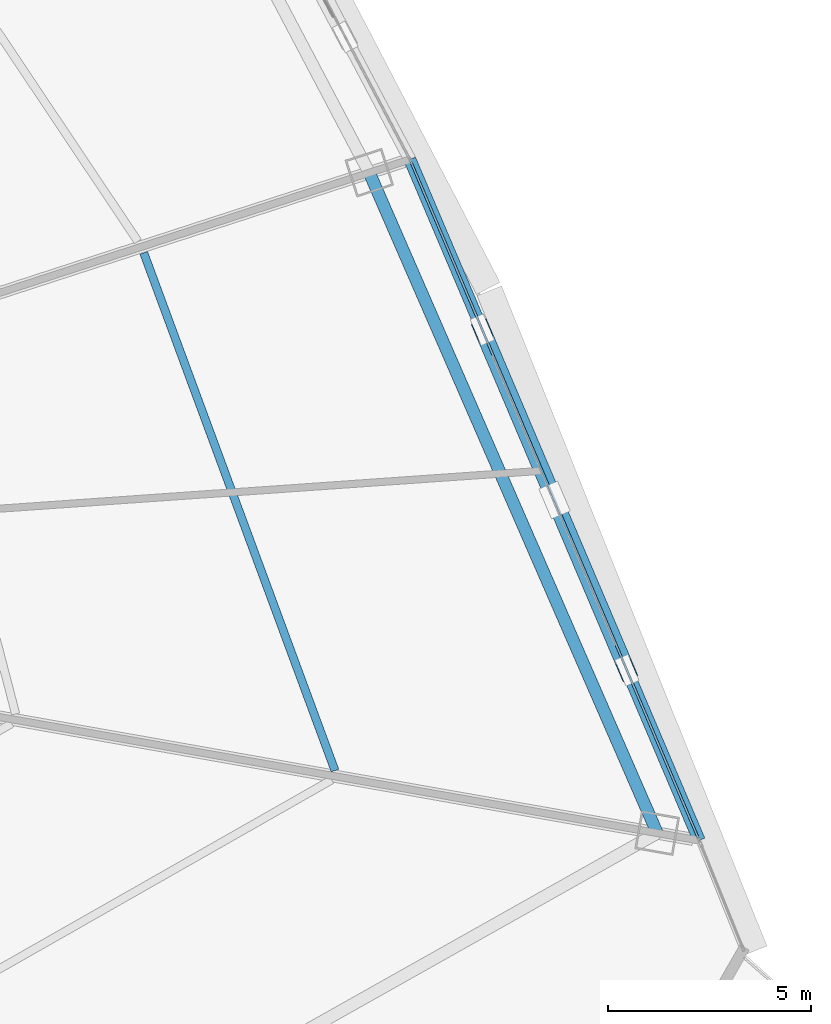
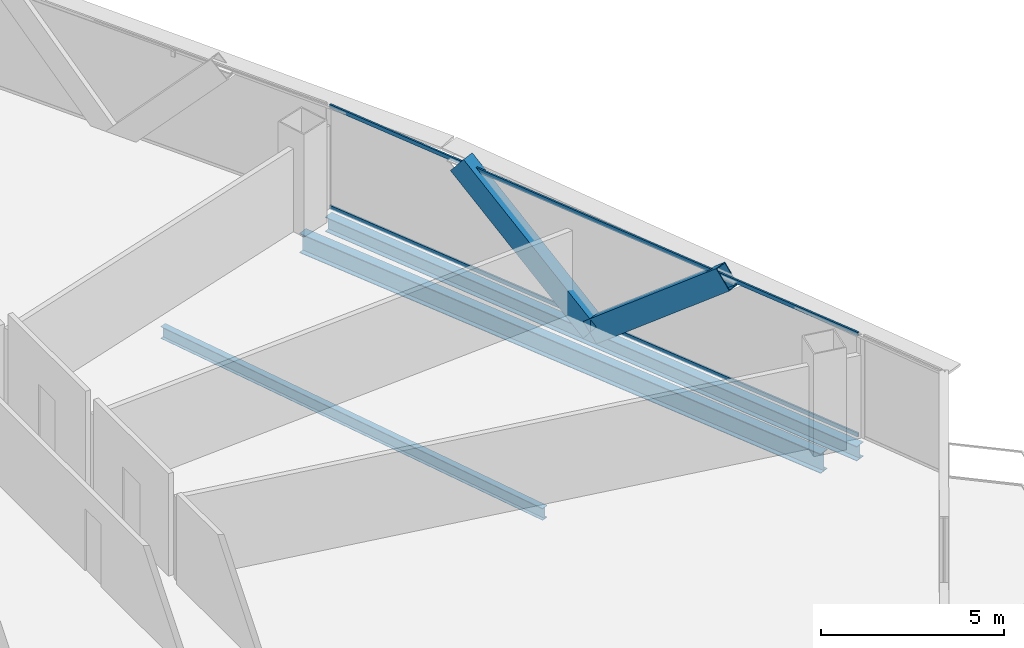
# One storey, part 27 of 39: 4 members, 3 beams, 1 element without a shape of its own.
"""IFC4 building model written with IfcOpenShell, lengths in metres."""

from ifc_helpers import new_model, si_unit, direction, frame, origin, origin_2d, place, context, subcontext, project, spatial, hollow_rectangle, i_section, extrude, source, transform, mapped, material, layer, layer_set, material_profile, profile_set, type_object, element, aggregate, save


model = new_model("IFC4")

# Units and contexts
model_context = context("Model", 3, precision=1e-05, world=origin(), true_north=direction((0.0, 1.0)))
body_context = subcontext(model_context, "Body", "Model", "MODEL_VIEW")
ifc_project = project(units=[si_unit("LENGTHUNIT", "METRE"), si_unit("AREAUNIT", "SQUARE_METRE"), si_unit("VOLUMEUNIT", "CUBIC_METRE"), si_unit("PLANEANGLEUNIT", "RADIAN"), si_unit("MASSUNIT", "GRAM", prefix="KILO"), si_unit("THERMODYNAMICTEMPERATUREUNIT", "KELVIN"), si_unit("POWERUNIT", "WATT")], contexts=[model_context])

# Site, building, storey
site_placement = place(None, origin())
site = spatial("IfcSite", under=ifc_project, at=site_placement, CompositionType="ELEMENT")
building_placement = place(site_placement, origin())
building = spatial("IfcBuilding", under=site, at=building_placement, Name="Yunzhuo Pagoda Commons", CompositionType="ELEMENT")
storey_placement = place(building_placement, frame((0.0, 0.0, 166.6298828125)))
storey = spatial("IfcBuildingStorey", under=building, at=storey_placement, Name="L42", CompositionType="ELEMENT", Elevation=166.6298828125)

# Beams
ifc_material_1 = material(Name="Structural steel Q355B", Category="steel")
ifc_material_profile_1 = material_profile(ifc_material_1, i_section(OverallWidth=0.300048828125, OverallDepth=0.64990234375, WebThickness=0.012939453125, FlangeThickness=0.02197265625, at=origin_2d()), Name="Structural steel Q355B")
ifc_profile_set_1 = profile_set([ifc_material_profile_1], Name="Structural steel Q355B")
beam_type_1 = type_object("IfcBeamType", Name="B-RG2 Beam HN 650x300x13x22", PredefinedType="BEAM", material=ifc_profile_set_1)
shared_shape_1 = source(origin(), body_context, "Body", "SweptSolid", [
    extrude(i_section(OverallWidth=0.300048828125, OverallDepth=0.64990234375, WebThickness=0.012939453125, FlangeThickness=0.02197265625, at=origin_2d()), origin(), (0.0, 0.0, 1.0), 17.72021484375),
])
beam_1_placement = place(storey_placement, frame((84.9970703125, 27.176513671875, -0.5849609375), z_axis=(-0.399643307961, 0.916670729544, 0.0), x_axis=(-0.916670729544, -0.399643307961, 0.0)))
element("IfcBeam", 1, at=beam_1_placement, inside=storey, type_object=beam_type_1, Name="L42 column-ring beam 5", PredefinedType="BEAM", context=body_context, shape_type="MappedRepresentation", body=[
    mapped(shared_shape_1, transform((0.0, 0.0, 0.0), scale=1.0)),
])
ifc_material_profile_2 = material_profile(ifc_material_1, i_section(OverallWidth=0.199951171875, OverallDepth=0.39990234375, WebThickness=0.008056640625, FlangeThickness=0.012939453125, at=origin_2d()), Name="Structural steel Q355B")
ifc_profile_set_2 = profile_set([ifc_material_profile_2], Name="Structural steel Q355B")
beam_type_2 = type_object("IfcBeamType", Name="B-JS1 Joist HN 400x200x8x13", PredefinedType="JOIST", material=ifc_profile_set_2)
shared_shape_2 = source(origin(), body_context, "Body", "SweptSolid", [
    extrude(i_section(OverallWidth=0.199951171875, OverallDepth=0.39990234375, WebThickness=0.008056640625, FlangeThickness=0.012939453125, at=origin_2d()), origin(), (0.0, 0.0, 1.0), 13.57763671875),
])
beam_2_placement = place(storey_placement, frame((77.07080078125, 28.71337890625, -0.4599609375), z_axis=(-0.346531829181, 0.938038214235, 0.0), x_axis=(-0.938038214235, -0.346531829181, 0.0)))
element("IfcBeam", 2, at=beam_2_placement, inside=storey, type_object=beam_type_2, Name="L42 composite ring joist 2.5", PredefinedType="JOIST", context=body_context, shape_type="MappedRepresentation", body=[
    mapped(shared_shape_2, transform((0.0, 0.0, 0.0), scale=1.0)),
])
ifc_material_profile_3 = material_profile(ifc_material_1, i_section(OverallWidth=0.300048828125, OverallDepth=0.488037109375, WebThickness=0.010986328125, FlangeThickness=0.01806640625, at=origin_2d()), Name="Structural steel Q355B")
ifc_profile_set_3 = profile_set([ifc_material_profile_3], Name="Structural steel Q355B")
beam_type_3 = type_object("IfcBeamType", Name="B-SP1 Beam HM 488x300x11x18", PredefinedType="BEAM", material=ifc_profile_set_3)
shared_shape_3 = source(origin(), body_context, "Body", "SweptSolid", [
    extrude(i_section(OverallWidth=0.300048828125, OverallDepth=0.488037109375, WebThickness=0.010986328125, FlangeThickness=0.01806640625, at=origin_2d()), origin(), (0.0, 0.0, 1.0), 18.199951171875),
])
beam_3_placement = place(storey_placement, frame((86.03125, 26.994140625, -0.50390625), z_axis=(-0.391069626014, 0.920361096314, 0.0), x_axis=(-0.920361096314, -0.391069626014, 0.0)))
element("IfcBeam", 3, at=beam_3_placement, inside=storey, type_object=beam_type_3, Name="L42 facade edge spandrel beam F2.1", PredefinedType="BEAM", context=body_context, shape_type="MappedRepresentation", body=[
    mapped(shared_shape_3, transform((0.0, 0.0, 0.0), scale=1.0)),
])

# Members
ifc_material_profile_4 = material_profile(ifc_material_1, hollow_rectangle(XDim=0.39990234375, YDim=0.719970703125, WallThickness=0.02392578125, at=origin_2d()), Name="Structural steel Q355B")
ifc_profile_set_4 = profile_set([ifc_material_profile_4], Name="Structural steel Q355B")
member_type_1 = type_object("IfcMemberType", Name="M-DL2 Brace BOX 720x400x24", PredefinedType="BRACE", material=ifc_profile_set_4)
shared_shape_4 = source(origin(), body_context, "Body", "SweptSolid", [
    extrude(hollow_rectangle(XDim=0.39990234375, YDim=0.719970703125, WallThickness=0.02392578125, at=origin_2d()), origin(), (0.0, 0.0, 1.0), 5.85205078125),
])
member_1_placement = place(storey_placement, frame((82.472412109375, 35.369384765625, -0.259765625), z_axis=(0.304091259821, -0.715609463536, 0.628833524391), x_axis=(0.92035071495, 0.39109405709, 0.0)))
element("IfcMember", 4, at=member_1_placement, inside=storey, type_object=member_type_1, Name="L42 facade diamond brace F2.1L", PredefinedType="BRACE", context=body_context, shape_type="MappedRepresentation", body=[
    mapped(shared_shape_4, transform((0.0, 0.0, 0.0), scale=1.0)),
])
shared_shape_5 = source(origin(), body_context, "Body", "SweptSolid", [
    extrude(hollow_rectangle(XDim=0.39990234375, YDim=0.719970703125, WallThickness=0.02392578125, at=origin_2d()), origin(), (0.0, 0.0, 1.0), 5.851806640625),
])
member_2_placement = place(storey_placement, frame((82.472412109375, 35.369384765625, -0.259765625), z_axis=(-0.304062475518, 0.71559818607, 0.628860276273), x_axis=(-0.920361821441, -0.391067919465, 0.0)))
element("IfcMember", 5, at=member_2_placement, inside=storey, type_object=member_type_1, Name="L42 facade diamond brace F2.1R", PredefinedType="BRACE", context=body_context, shape_type="MappedRepresentation", body=[
    mapped(shared_shape_5, transform((0.0, 0.0, 0.0), scale=1.0)),
])

# Curtain wall, members
ifc_material_2 = material(Name="Anodized aluminium 6063-T6", Category="aluminium")
ifc_layer = layer(ifc_material_2, 0.14990234375)
ifc_layer_set = layer_set([ifc_layer], Name="Anodized aluminium 6063-T6")
curtain_wall_type = type_object("IfcCurtainWallType", Name="CW-MID Mid-Zone Ribbon Curtain Wall", PredefinedType="NOTDEFINED", material=ifc_layer_set)
curtain_wall_placement = place(storey_placement, origin())
curtain_wall = element("IfcCurtainWall", 6, at=curtain_wall_placement, inside=storey, type_object=curtain_wall_type, Name="L42 curtain wall CW-L42-F2B2", PredefinedType="NOTDEFINED")
ifc_material_profile_5 = material_profile(ifc_material_2, hollow_rectangle(XDim=0.054931640625, YDim=0.1298828125, WallThickness=0.00341796875, at=origin_2d()), Name="Anodized aluminium 6063-T6")
ifc_profile_set_5 = profile_set([ifc_material_profile_5], Name="Anodized aluminium 6063-T6")
member_type_2 = type_object("IfcMemberType", Name="CW-MID-T Transom RHS 130x55x3.5", PredefinedType="USERDEFINED", material=ifc_profile_set_5)
shared_shape_6 = source(origin(), body_context, "Body", "SweptSolid", [
    extrude(hollow_rectangle(XDim=0.054931640625, YDim=0.1298828125, WallThickness=0.00341796875, at=origin_2d()), origin(), (0.0, 0.0, 1.0), 18.080078125),
])
member_3_placement = place(storey_placement, frame((86.008056640625, 27.04931640625, 0.027587890625), z_axis=(-0.391081736974, 0.920355950166, 0.0), x_axis=(-0.920355950166, -0.391081736974, 0.0)))
member_3 = element("IfcMember", 7, at=member_3_placement, type_object=member_type_2, Name="CW transom 1.1", ObjectType="TRANSOM", PredefinedType="USERDEFINED", context=body_context, shape_type="MappedRepresentation", body=[
    mapped(shared_shape_6, transform((0.0, 0.0, 0.0), scale=1.0)),
])
member_4_placement = place(storey_placement, frame((86.008056640625, 27.04931640625, 3.392578125), z_axis=(-0.391081736974, 0.920355950166, 0.0), x_axis=(-0.920355950166, -0.391081736974, 0.0)))
member_4 = element("IfcMember", 8, at=member_4_placement, type_object=member_type_2, Name="CW transom 1.2", ObjectType="TRANSOM", PredefinedType="USERDEFINED", context=body_context, shape_type="MappedRepresentation", body=[
    mapped(shared_shape_6, transform((0.0, 0.0, 0.0), scale=1.0)),
])
aggregate(curtain_wall, [member_3, member_4])

save(model, "model.ifc")
